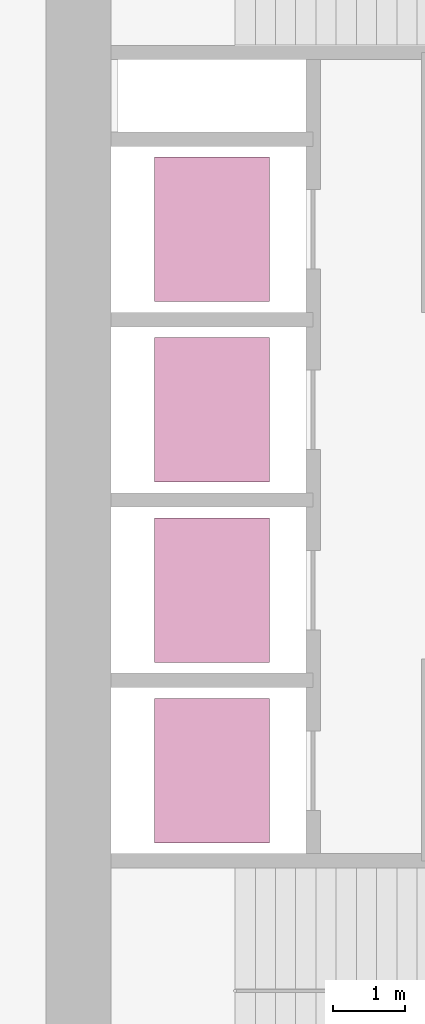
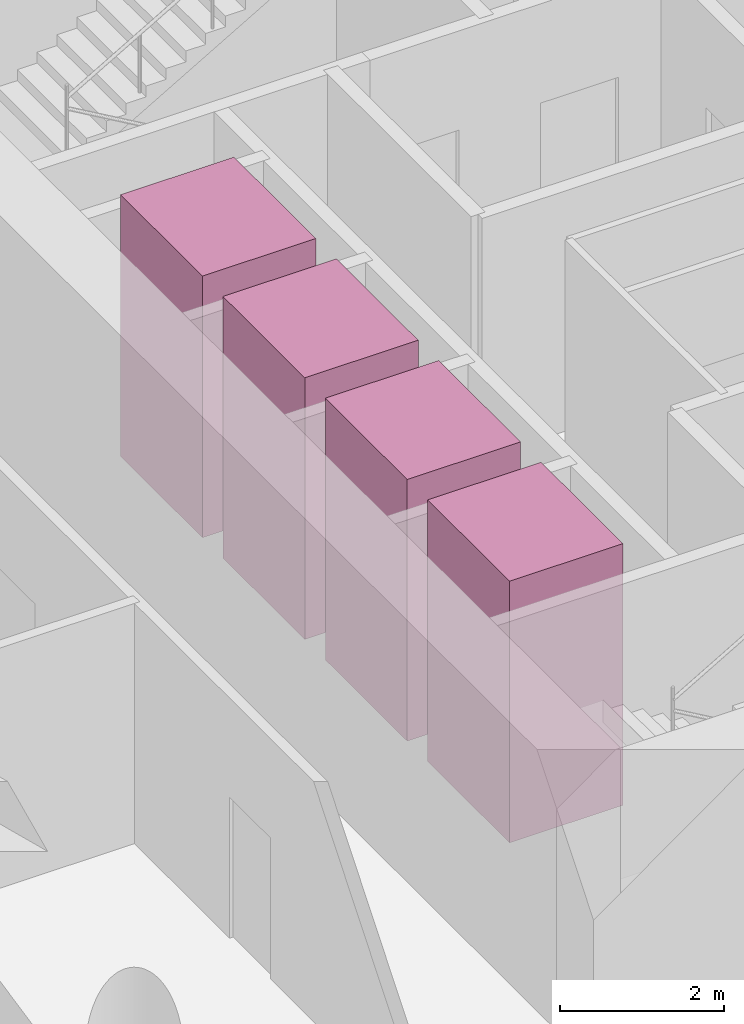
# One storey, part 11 of 11: 4 transport elements.
"""IFC4 building model written with IfcOpenShell, lengths in metres."""

import ifcopenshell
import ifcopenshell.guid

model = None  # the IFC model being written
_history = None  # IfcOwnerHistory: only IFC2X3 demands one
_inside = {}  # id of a spatial element -> (the spatial element, [elements in it])
_under = {}  # id of a project, library or spatial element -> (it, [spatial elements below it])
_declared = {}  # id of a project -> (the project, [libraries it declares])
_typed = {}  # id of a type object -> (the type object, [elements of that type])
_made_of = {}  # id of a material, layer set ... -> (it, [elements and type objects made of it])


def new_model(schema):
    """Start an empty IFC model of exactly this schema.

    Asked for "IFC4X3", IfcOpenShell would pick the latest addendum, in which some entities
    have other attributes; the version numbers below select the first issue.
    IFC2X3 requires an IfcOwnerHistory on every rooted entity: one is made here for all.
    """
    global model, _history
    if schema == "IFC4X3":
        model = ifcopenshell.file(schema_version=(4, 3, 0, 0))
    else:
        model = ifcopenshell.file(schema=schema)
    _inside.clear()
    _under.clear()
    _declared.clear()
    _typed.clear()
    _made_of.clear()
    _history = None
    if model.schema == "IFC2X3":
        org = make("IfcOrganization", Name="unknown")
        user = make(
            "IfcPersonAndOrganization",
            ThePerson=make("IfcPerson", FamilyName="unknown"),
            TheOrganization=org,
        )
        app = make(
            "IfcApplication",
            ApplicationDeveloper=org,
            Version="unknown",
            ApplicationFullName="unknown",
            ApplicationIdentifier="unknown",
        )
        _history = make(
            "IfcOwnerHistory",
            OwningUser=user,
            OwningApplication=app,
            ChangeAction="ADDED",
            CreationDate=0,
        )
    return model


def make(cls, **values):
    """One entity of the class cls with the attributes given. An attribute that is None is left unset."""
    return model.create_entity(
        cls, **{name: value for name, value in values.items() if value is not None}
    )


def rooted(cls, **values):
    """An entity with a GlobalId (a new one), such as an element, a storey or a relation."""
    return make(cls, GlobalId=ifcopenshell.guid.new(), OwnerHistory=_history, **values)


def si_unit(unit_type, name, prefix=None):
    """IfcSIUnit, for example si_unit("LENGTHUNIT", "METRE", prefix="MILLI")."""
    return make("IfcSIUnit", UnitType=unit_type, Prefix=prefix, Name=name)


def assignment(units):
    """IfcUnitAssignment: the units of a project."""
    return None if units is None else make("IfcUnitAssignment", Units=units)


def point(xyz):
    """IfcCartesianPoint."""
    return None if xyz is None else make("IfcCartesianPoint", Coordinates=xyz)


def direction(xyz):
    """IfcDirection."""
    return None if xyz is None else make("IfcDirection", DirectionRatios=xyz)


def frame(location, z_axis=None, x_axis=None):
    """IfcAxis2Placement3D, a coordinate frame: its origin and axes. An axis left out is left unset."""
    return make(
        "IfcAxis2Placement3D",
        Location=point(location),
        Axis=direction(z_axis),
        RefDirection=direction(x_axis),
    )


def frame_2d(location, x_axis=None):
    """IfcAxis2Placement2D, a coordinate frame in the plane: its origin and x axis."""
    return make(
        "IfcAxis2Placement2D", Location=point(location), RefDirection=direction(x_axis)
    )


def origin():
    """The frame at (0, 0, 0) with its axes left unset."""
    return frame((0.0, 0.0, 0.0))


def origin_2d():
    """The frame at (0, 0) in the plane with its x axis left unset."""
    return frame_2d((0.0, 0.0))


def place(relative_to, where):
    """IfcLocalPlacement: puts the frame where relative to a parent placement (None: the world)."""
    return make(
        "IfcLocalPlacement", PlacementRelTo=relative_to, RelativePlacement=where
    )


def context(
    kind, dimensions, precision=None, world=None, true_north=None, identifier=None
):
    """IfcGeometricRepresentationContext, for example the 3D "Model" context."""
    return make(
        "IfcGeometricRepresentationContext",
        ContextIdentifier=identifier,
        ContextType=kind,
        CoordinateSpaceDimension=dimensions,
        Precision=precision,
        WorldCoordinateSystem=world,
        TrueNorth=true_north,
    )


def subcontext(parent, identifier, kind, view, scale=None):
    """IfcGeometricRepresentationSubContext, for example "Body" below "Model"."""
    return make(
        "IfcGeometricRepresentationSubContext",
        ContextIdentifier=identifier,
        ContextType=kind,
        ParentContext=parent,
        TargetScale=scale,
        TargetView=view,
    )


def project(units=None, contexts=None):
    """IfcProject with its units and contexts."""
    return rooted(
        "IfcProject",
        Name="project",
        RepresentationContexts=contexts,
        UnitsInContext=assignment(units),
    )


def spatial(cls, under=None, at=None, **own):
    """A site, building, storey or space (cls), placed at a placement, below another one or the project."""
    s = rooted(cls, ObjectPlacement=at, **own)
    if under is not None:
        _under.setdefault(under.id(), (under, []))[1].append(s)
    return s


def profile(cls, at=None, kind="AREA", **sizes):
    """A parametric profile (cls). Its sizes go by their IFC names, for example OverallWidth=200.0."""
    return make(cls, ProfileType=kind, Position=at, **sizes)


def rectangle(**sizes):
    """IfcRectangleProfileDef."""
    return profile("IfcRectangleProfileDef", **sizes)


def extrude(swept, where, along, depth):
    """IfcExtrudedAreaSolid: the profile swept, set in the frame where, extruded along a direction by depth."""
    return make(
        "IfcExtrudedAreaSolid",
        SweptArea=swept,
        Position=where,
        ExtrudedDirection=direction(along),
        Depth=depth,
    )


def shape(context_of_items, identifier, shape_type, items):
    """IfcShapeRepresentation: the items that make up one representation, for example the "Body"."""
    return make(
        "IfcShapeRepresentation",
        ContextOfItems=context_of_items,
        RepresentationIdentifier=identifier,
        RepresentationType=shape_type,
        Items=items,
    )


def material(Name=None, Category=None):
    """IfcMaterial."""
    return make("IfcMaterial", Name=Name, Category=Category)


def made_of(thing, what):
    """Note that an element or type object is made of a material, layer set ...; save() writes the relation."""
    if what is not None:
        _made_of.setdefault(what.id(), (what, []))[1].append(thing)
    return thing


def type_object(cls, material=None, **own):
    """A type object (cls), such as IfcWallType, which elements share."""
    return made_of(rooted(cls, **own), material)


def element(
    cls,
    number,
    at=None,
    inside=None,
    cuts=None,
    type_object=None,
    material=None,
    context=None,
    identifier="Body",
    shape_type=None,
    held_by="IfcProductDefinitionShape",
    body=None,
    shapes=None,
    **own,
):
    """One element of the class cls, such as IfcWall. Its Tag is "e" and its number.

    at: its placement. inside: the storey or other place that contains it. cuts: it is an
    opening in that element (IfcRelVoidsElement). A single representation is given by context,
    identifier, shape_type and body (its items); several are given by shapes. held_by: the class
    of the entity that holds the representations. save() writes the other relations.
    """
    e = rooted(cls, Tag="e%d" % number, ObjectPlacement=at, **own)
    if body is not None:
        shapes = [shape(context, identifier, shape_type, body)]
    if shapes is not None:
        e.Representation = make(held_by, Representations=shapes)
    if inside is not None:
        _inside.setdefault(inside.id(), (inside, []))[1].append(e)
    if cuts is not None:
        rooted(
            "IfcRelVoidsElement", RelatingBuildingElement=cuts, RelatedOpeningElement=e
        )
    if type_object is not None:
        _typed.setdefault(type_object.id(), (type_object, []))[1].append(e)
    return made_of(e, material)


def aggregate(whole, parts):
    """IfcRelAggregates: a whole, such as a stair, and the parts it consists of."""
    return rooted("IfcRelAggregates", RelatingObject=whole, RelatedObjects=parts)


def save(model, path):
    """Write the relations noted so far, then the file.

    IfcRelAggregates (storeys below a building ...), IfcRelContainedInSpatialStructure (elements
    in a storey), IfcRelDefinesByType, IfcRelAssociatesMaterial and IfcRelDeclares: one each for
    every whole, place, type object, material and project.
    """
    for whole, parts in _under.values():
        aggregate(whole, parts)
    for where, things in _inside.values():
        rooted(
            "IfcRelContainedInSpatialStructure",
            RelatedElements=things,
            RelatingStructure=where,
        )
    for kind, things in _typed.values():
        rooted("IfcRelDefinesByType", RelatedObjects=things, RelatingType=kind)
    for what, things in _made_of.values():
        rooted("IfcRelAssociatesMaterial", RelatedObjects=things, RelatingMaterial=what)
    for by, libraries in _declared.values():
        rooted("IfcRelDeclares", RelatingContext=by, RelatedDefinitions=libraries)
    model.write(path)


model = new_model("IFC4")

# Units and contexts
model_context = context("Model", 3, precision=1e-05, world=origin(), true_north=direction((0.0, 1.0)))
body_context = subcontext(model_context, "Body", "Model", "MODEL_VIEW")
ifc_project = project(units=[si_unit("LENGTHUNIT", "METRE"), si_unit("AREAUNIT", "SQUARE_METRE"), si_unit("VOLUMEUNIT", "CUBIC_METRE"), si_unit("PLANEANGLEUNIT", "RADIAN"), si_unit("MASSUNIT", "GRAM", prefix="KILO")], contexts=[model_context])

# Site, building, storey
site_placement = place(None, origin())
site = spatial("IfcSite", under=ifc_project, at=site_placement, CompositionType="ELEMENT")
building_placement = place(site_placement, origin())
building = spatial("IfcBuilding", under=site, at=building_placement, Name="Qaws Garden Tower", CompositionType="ELEMENT")
storey_placement = place(building_placement, frame((0.0, 0.0, 27.60009765625)))
storey = spatial("IfcBuildingStorey", under=building, at=storey_placement, Name="L06", CompositionType="ELEMENT", Elevation=27.60009765625)

# Transport elements
ifc_material = material(Name="Stainless steel 316", Category="steel")
transport_element_type = type_object("IfcTransportElementType", Name="Passenger lift car 2000x1600 1800 kg", PredefinedType="ELEVATOR", material=ifc_material)
for number, where, z_axis, x_axis, name in (
    (1, (10.300048828125, 13.64990234375, 0.0), (0.0, 0.0, 1.0), (1.0, 0.0, 0.0), "LR1"),
    (2, (10.300048828125, 16.14990234375, 0.0), (0.0, 0.0, 1.0), (1.0, 0.0, 0.0), "LR2"),
    (3, (10.300048828125, 18.64990234375, 0.0), (0.0, 0.0, 1.0), (1.0, 0.0, 0.0), "LR3"),
    (4, (10.300048828125, 21.14990234375, 0.0), (0.0, 0.0, 1.0), (1.0, 0.0, 0.0), "LR4"),
):
    element("IfcTransportElement", number, at=place(storey_placement, frame(where, z_axis=z_axis, x_axis=x_axis)), inside=storey, type_object=transport_element_type, Name=name, PredefinedType="ELEVATOR", context=body_context, shape_type="SweptSolid", body=[
        extrude(rectangle(XDim=1.60009765625, YDim=2.0, at=origin_2d()), origin(), (0.0, 0.0, 1.0), 3.89990234375),
    ])

save(model, "model.ifc")
